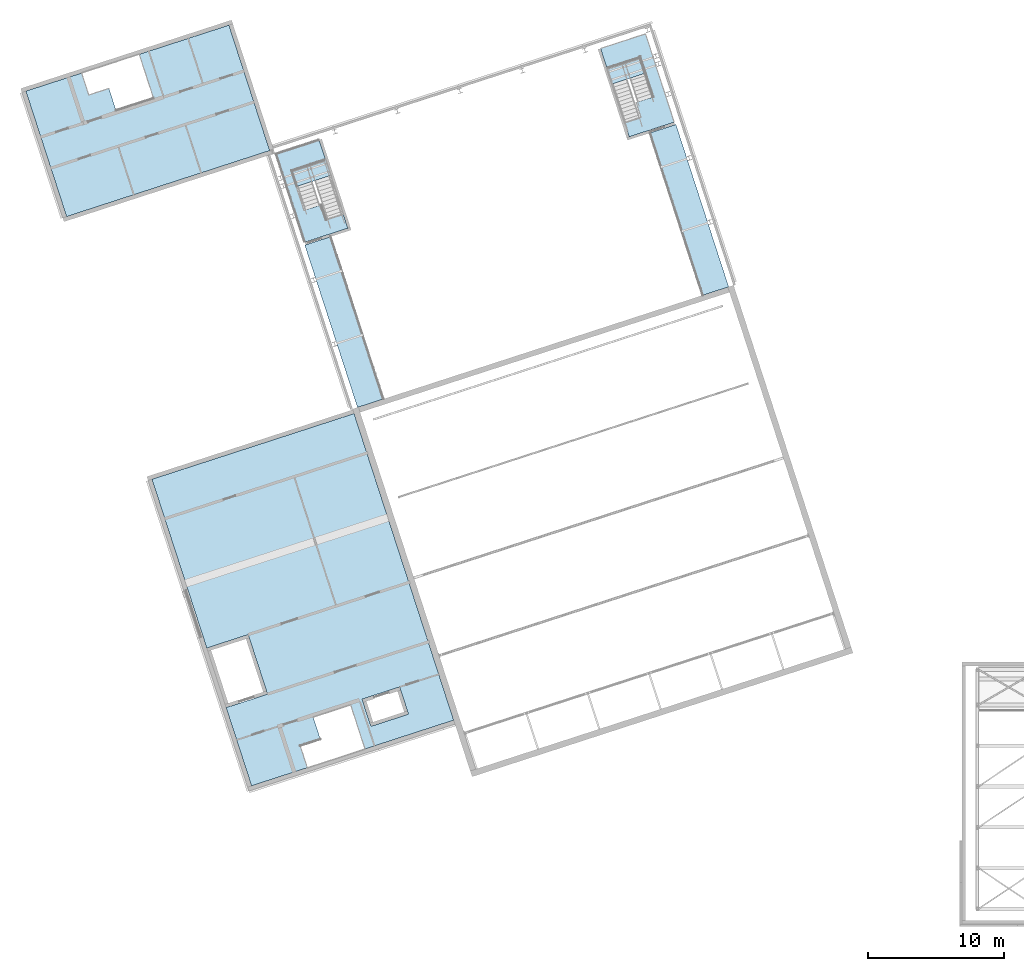
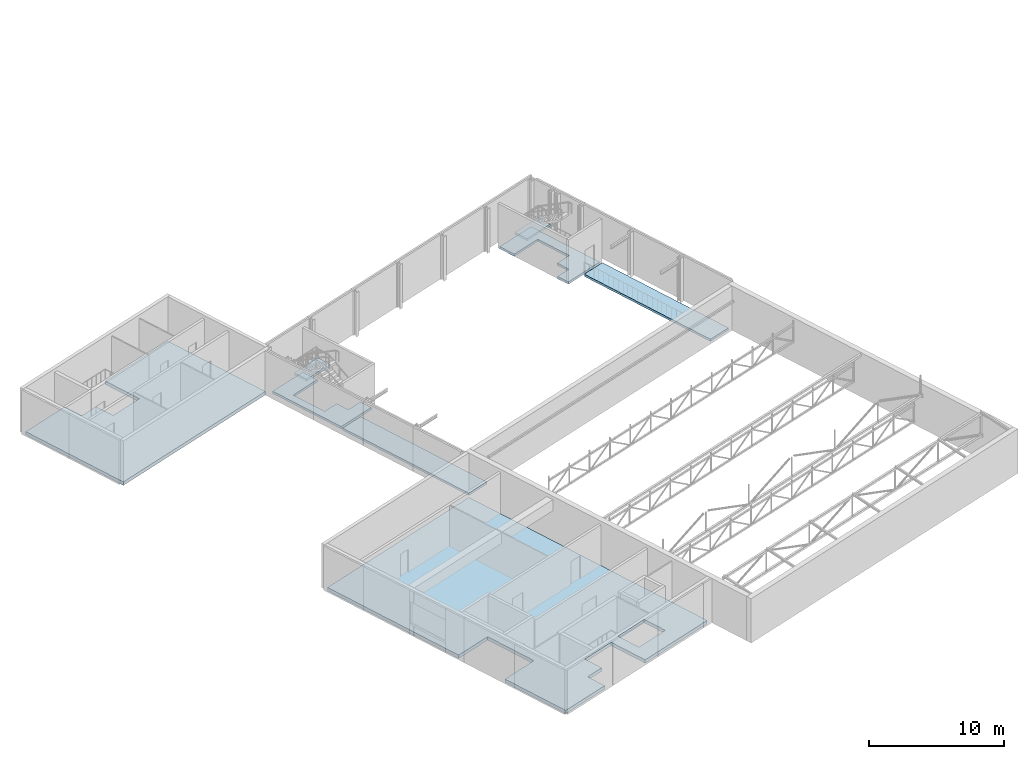
# One storey, part 62 of 81: 8 slabs, 2 elements without a shape of their own.
"""IFC4 building model written with IfcOpenShell, lengths in metres."""

from ifc_helpers import new_model, si_unit, direction, frame, origin, place, context, subcontext, project, spatial, polyline, outline, extrude, material, layer, layer_set, type_object, element, aggregate, save


model = new_model("IFC4")

# Units and contexts
model_context = context("Model", 3, precision=1e-05, world=origin(), true_north=direction((0.0, 1.0)))
body_context = subcontext(model_context, "Body", "Model", "MODEL_VIEW")
ifc_project = project(units=[si_unit("LENGTHUNIT", "METRE"), si_unit("AREAUNIT", "SQUARE_METRE"), si_unit("VOLUMEUNIT", "CUBIC_METRE"), si_unit("PLANEANGLEUNIT", "RADIAN"), si_unit("MASSUNIT", "GRAM", prefix="KILO")], contexts=[model_context])

# Site, building, storey
site_placement = place(None, origin())
site = spatial("IfcSite", under=ifc_project, at=site_placement, CompositionType="ELEMENT")
building_placement = place(site_placement, origin())
building = spatial("IfcBuilding", under=site, at=building_placement, Name="Tuart Plaza Theatre", CompositionType="ELEMENT")
storey_placement = place(building_placement, frame((0.0, 0.0, 17.5)))
storey = spatial("IfcBuildingStorey", under=building, at=storey_placement, Name="L04", CompositionType="ELEMENT", Elevation=17.5)

# Slabs
ifc_material_1 = material(Name="Concrete N40 (40 MPa)", Category="concrete")
ifc_layer_1 = layer(ifc_material_1, 0.199951171875)
ifc_layer_set_1 = layer_set([ifc_layer_1], Name="SLAB Floor 200 Concrete N40 (40 MPa)")
slab_type_1 = type_object("IfcSlabType", Name="SLAB Floor 200 Concrete N40 (40 MPa)", PredefinedType="FLOOR", material=ifc_layer_set_1)
slab_1_placement = place(storey_placement, frame((0.0, 0.0, -0.199951171875)))
element("IfcSlab", 1, at=slab_1_placement, inside=storey, type_object=slab_type_1, Name="S7", PredefinedType="FLOOR", context=body_context, shape_type="SweptSolid", body=[
    extrude(outline(polyline([(35.45068359375, 87.50634765625), (37.559814453125, 81.015380859375), (40.721923828125, 82.042724609375), (40.38818359375, 83.06982421875), (39.114013671875, 82.65576171875), (38.75537109375, 83.759033203125), (37.4951171875, 83.349609375), (36.531005859375, 86.31689453125), (39.065673828125, 87.140380859375), (38.613037109375, 88.53369140625), (35.45068359375, 87.50634765625)])), origin(), (0.0, 0.0, 1.0), 0.199951171875),
])
slab_2_placement = place(storey_placement, frame((0.0, 0.0, -0.199951171875)))
element("IfcSlab", 2, at=slab_2_placement, inside=storey, type_object=slab_type_1, Name="S12", PredefinedType="FLOOR", context=body_context, shape_type="SweptSolid", body=[
    extrude(outline(polyline([(62.21435546875, 94.661865234375), (63.178466796875, 91.694580078125), (61.91845703125, 91.28515625), (62.27685546875, 90.181884765625), (61.07373046875, 89.791015625), (61.407470703125, 88.763916015625), (64.71240234375, 89.837646484375), (62.603271484375, 96.32861328125), (59.29833984375, 95.2548828125), (59.751220703125, 93.861572265625), (62.21435546875, 94.661865234375)])), origin(), (0.0, 0.0, 1.0), 0.199951171875),
])
slab_3_placement = place(storey_placement, frame((0.0, 0.0, -0.199951171875)))
element("IfcSlab", 3, at=slab_3_placement, inside=storey, type_object=slab_type_1, Name="S58", PredefinedType="FLOOR", context=body_context, shape_type="SweptSolid", body=[
    extrude(outline(polyline([(43.335693359375, 69.48583984375), (39.45751953125, 81.421630859375), (37.555419921875, 80.8037109375), (41.43359375, 68.867919921875), (43.335693359375, 69.48583984375)])), origin(), (0.0, 0.0, 1.0), 0.199951171875),
])
slab_4_placement = place(storey_placement, frame((0.0, 0.0, -0.199951171875)))
element("IfcSlab", 4, at=slab_4_placement, inside=storey, type_object=slab_type_1, Name="S59", PredefinedType="FLOOR", context=body_context, shape_type="SweptSolid", body=[
    extrude(outline(polyline([(68.718505859375, 77.733154296875), (64.84033203125, 89.6689453125), (62.938232421875, 89.051025390625), (66.81640625, 77.115234375), (68.718505859375, 77.733154296875)])), origin(), (0.0, 0.0, 1.0), 0.199951171875),
])
ifc_material_2 = material(Name="Concrete N40 (40 MPa)", Category="concrete")
ifc_layer_2 = layer(ifc_material_2, 0.300048828125)
ifc_layer_set_2 = layer_set([ifc_layer_2], Name="SLAB Floor 300 Concrete N40 (40 MPa)")
slab_type_2 = type_object("IfcSlabType", Name="SLAB Floor 300 Concrete N40 (40 MPa)", PredefinedType="FLOOR", material=ifc_layer_set_2)
slab_5_placement = place(storey_placement, frame((0.0, 0.0, -0.300048828125)))
element("IfcSlab", 5, at=slab_5_placement, inside=storey, type_object=slab_type_2, Name="S32", PredefinedType="FLOOR", context=body_context, shape_type="SweptSolid", body=[
    extrude(outline(polyline([(33.643310546875, 41.049072265625), (37.742431640625, 42.380859375), (37.217041015625, 43.99755859375), (38.70068359375, 44.479736328125), (38.17529296875, 46.096435546875), (40.933349609375, 46.99267578125), (41.984130859375, 43.759033203125), (48.503662109375, 45.87744140625), (41.179931640625, 68.41748046875), (26.319580078125, 63.589111328125), (30.352294921875, 51.177734375), (33.395751953125, 52.16650390625), (34.817138671875, 47.791748046875), (31.773681640625, 46.802978515625), (33.643310546875, 41.049072265625)]), holes=[polyline([(44.529541015625, 48.31884765625), (41.771484375, 47.422607421875), (42.42041015625, 45.425537109375), (45.178466796875, 46.321533203125), (44.529541015625, 48.31884765625)])]), origin(), (0.0, 0.0, 1.0), 0.300048828125),
])
slab_6_placement = place(storey_placement, frame((0.0, 0.0, -0.300048828125)))
element("IfcSlab", 6, at=slab_6_placement, inside=storey, type_object=slab_type_2, Name="S33", PredefinedType="FLOOR", context=body_context, shape_type="SweptSolid", body=[
    extrude(outline(polyline([(25.389892578125, 94.830810546875), (26.4404296875, 91.59716796875), (23.6826171875, 90.700927734375), (23.1572265625, 92.31787109375), (21.673583984375, 91.835693359375), (21.148193359375, 93.45263671875), (17.049072265625, 92.12060546875), (20.046630859375, 82.8955078125), (34.978271484375, 87.7470703125), (31.980712890625, 96.97216796875), (25.389892578125, 94.830810546875)])), origin(), (0.0, 0.0, 1.0), 0.300048828125),
])

# Stair, slab
ifc_material_3 = material(Name="Concrete N40 (40 MPa)", Category="concrete")
stair_type = type_object("IfcStairType", Name="STAIR half turn 1200", PredefinedType="HALF_TURN_STAIR", material=ifc_material_3)
stair_1_placement = place(storey_placement, origin())
stair_1 = element("IfcStair", 7, at=stair_1_placement, inside=storey, type_object=stair_type, Name="SA-4", PredefinedType="HALF_TURN_STAIR")
ifc_material_4 = material(Name="Concrete N40 (40 MPa)", Category="concrete")
ifc_layer_3 = layer(ifc_material_4, 0.199951171875)
ifc_layer_set_3 = layer_set([ifc_layer_3], Name="STAIR LANDING 200")
slab_type_3 = type_object("IfcSlabType", Name="STAIR LANDING 200", PredefinedType="LANDING", material=ifc_layer_set_3)
slab_7_placement = place(storey_placement, frame((0.0, 0.0, 1.800048828125)))
slab_7 = element("IfcSlab", 8, at=slab_7_placement, type_object=slab_type_3, Name="SA-4 landing 1", PredefinedType="LANDING", context=body_context, shape_type="SweptSolid", body=[
    extrude(outline(polyline([(39.459228515625, 85.92236328125), (39.0791015625, 87.09228515625), (36.593994140625, 86.284912109375), (36.97412109375, 85.114990234375), (39.459228515625, 85.92236328125)])), origin(), (0.0, 0.0, 1.0), 0.199951171875),
])
aggregate(stair_1, [slab_7])

stair_2_placement = place(storey_placement, origin())
stair_2 = element("IfcStair", 9, at=stair_2_placement, inside=storey, type_object=stair_type, Name="SA-5", PredefinedType="HALF_TURN_STAIR")
slab_8_placement = place(storey_placement, frame((0.0, 0.0, 1.800048828125)))
slab_8 = element("IfcSlab", 10, at=slab_8_placement, type_object=slab_type_3, Name="SA-5 landing 1", PredefinedType="LANDING", context=body_context, shape_type="SweptSolid", body=[
    extrude(outline(polyline([(60.13720703125, 92.64111328125), (59.757080078125, 93.81103515625), (62.182373046875, 94.598876953125), (62.5625, 93.42919921875), (60.13720703125, 92.64111328125)])), origin(), (0.0, 0.0, 1.0), 0.199951171875),
])
aggregate(stair_2, [slab_8])

save(model, "model.ifc")
